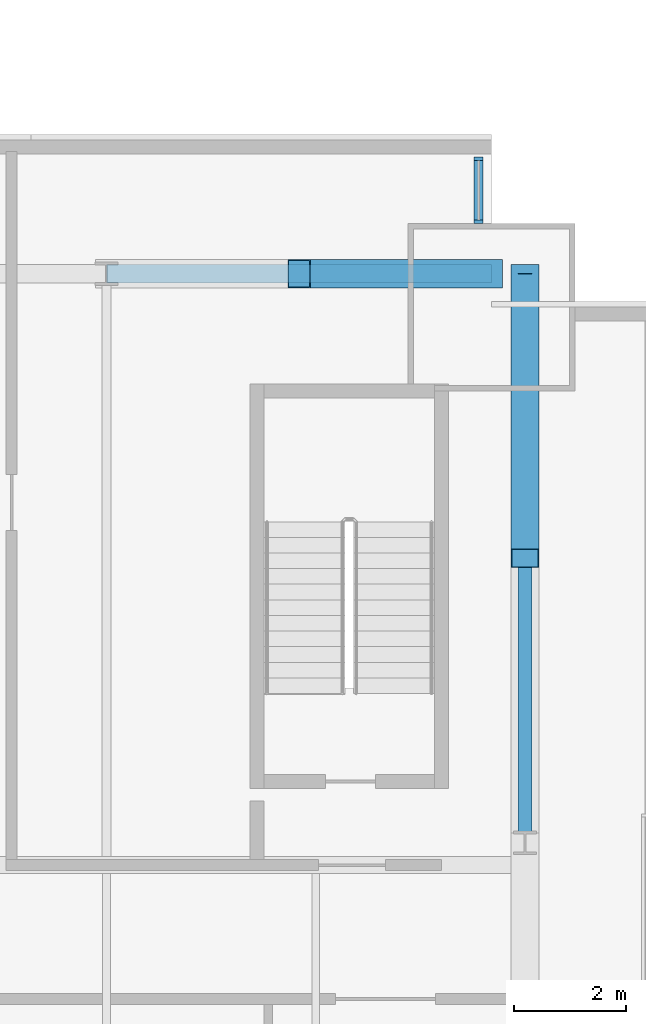
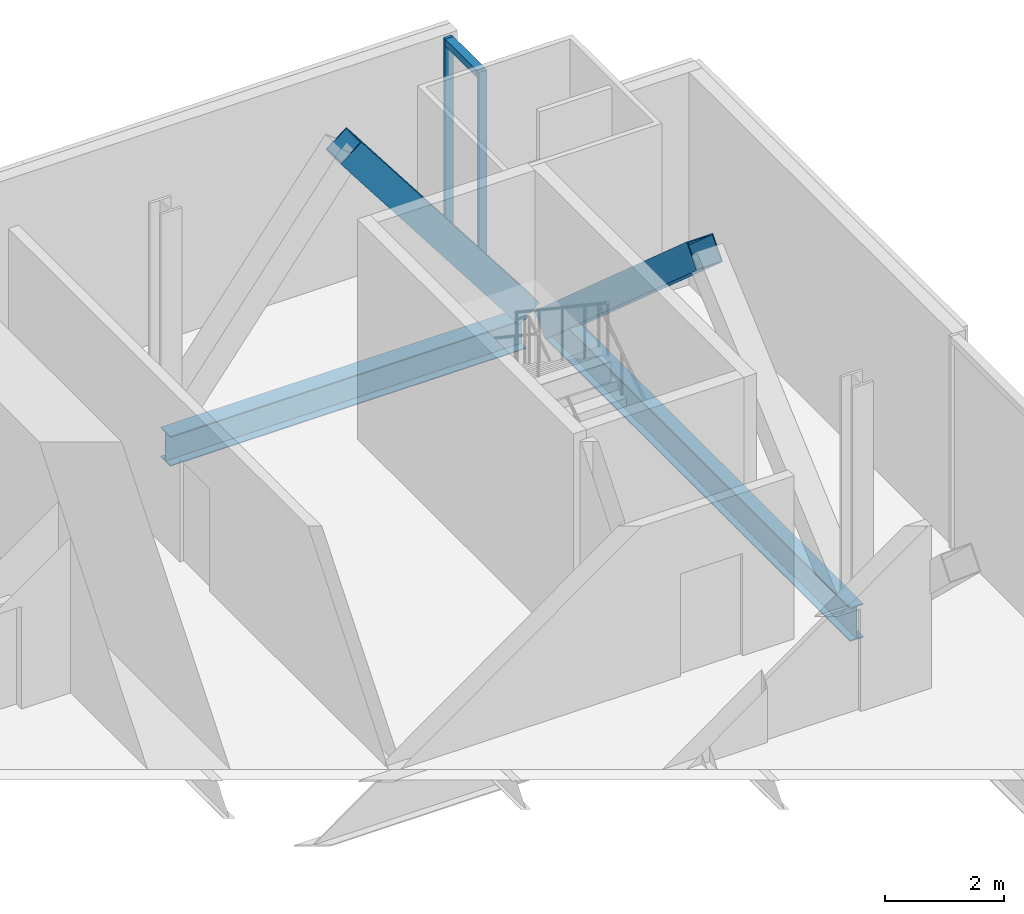
# One storey, part 13 of 21: 5 members, 2 beams, 1 element without a shape of its own.
"""IFC4 building model written with IfcOpenShell, lengths in metres."""

from ifc_helpers import new_model, si_unit, direction, frame, origin, origin_2d, place, context, subcontext, project, spatial, rectangle, hollow_rectangle, i_section, extrude, material, material_profile, profile_set, type_object, element, aggregate, save


model = new_model("IFC4")

# Units and contexts
model_context = context("Model", 3, precision=1e-05, world=origin(), true_north=direction((0.0, 1.0)))
body_context = subcontext(model_context, "Body", "Model", "MODEL_VIEW")
ifc_project = project(units=[si_unit("LENGTHUNIT", "METRE"), si_unit("AREAUNIT", "SQUARE_METRE"), si_unit("VOLUMEUNIT", "CUBIC_METRE"), si_unit("PLANEANGLEUNIT", "RADIAN"), si_unit("MASSUNIT", "GRAM", prefix="KILO")], contexts=[model_context])

# Site, building, storey
site_placement = place(None, origin())
site = spatial("IfcSite", under=ifc_project, at=site_placement, CompositionType="ELEMENT")
building_placement = place(site_placement, origin())
building = spatial("IfcBuilding", under=site, at=building_placement, Name="Bicima Exchange Tower", CompositionType="ELEMENT")
storey_placement = place(building_placement, frame((0.0, 0.0, 75.5)))
storey = spatial("IfcBuildingStorey", under=building, at=storey_placement, Name="L15", CompositionType="ELEMENT", Elevation=75.5)

# Beam
ifc_material_1 = material(Name="Steel ASTM A992 Gr 50", Category="steel")
ifc_material_profile_1 = material_profile(ifc_material_1, i_section(OverallWidth=0.256591796875, OverallDepth=0.693359375, WebThickness=0.014404296875, FlangeThickness=0.023681640625, at=origin_2d()))
ifc_profile_set_1 = profile_set([ifc_material_profile_1], Name="Steel ASTM A992 Gr 50")
beam_type_1 = type_object("IfcBeamType", Name="End girder W27x114", PredefinedType="BEAM", material=ifc_profile_set_1)
beam_1_placement = place(storey_placement, frame((33.60009765625, -2.39990234375, -0.49658203125), z_axis=(0.0, -1.0, 0.0), x_axis=(1.0, 0.0, 0.0)))
element("IfcBeam", 1, at=beam_1_placement, inside=storey, type_object=beam_type_1, Name="End girder", PredefinedType="BEAM", context=body_context, shape_type="SweptSolid", body=[
    extrude(i_section(OverallWidth=0.256591796875, OverallDepth=0.693359375, WebThickness=0.014404296875, FlangeThickness=0.023681640625, at=origin_2d()), origin(), (0.0, 0.0, 1.0), 10.2001953125),
])

# Curtain wall, members
ifc_material_2 = material(Name="Anodised bronze aluminium", Category="aluminium")
curtain_wall_type = type_object("IfcCurtainWallType", Name="Front glass wall", PredefinedType="NOTDEFINED", material=ifc_material_2)
curtain_wall_placement = place(storey_placement, origin())
curtain_wall = element("IfcCurtainWall", 2, at=curtain_wall_placement, inside=storey, type_object=curtain_wall_type, Name="Front glass wall L15 run 20", PredefinedType="NOTDEFINED")
ifc_material_profile_2 = material_profile(ifc_material_2, rectangle(XDim=0.159912109375, YDim=0.06005859375, at=origin_2d()))
ifc_profile_set_2 = profile_set([ifc_material_profile_2], Name="Anodised bronze aluminium")
member_type_1 = type_object("IfcMemberType", Name="Front glass wall mullion 60 x 160", PredefinedType="MULLION", material=ifc_profile_set_2)
member_1_placement = place(storey_placement, frame((32.77001953125, -1.469970703125, 0.0), z_axis=(0.0, 0.0, 1.0), x_axis=(-1.0, 0.0, 0.0)))
member_1 = element("IfcMember", 3, at=member_1_placement, type_object=member_type_1, Name="Front glass wall mullion 1", PredefinedType="MULLION", context=body_context, shape_type="SweptSolid", body=[
    extrude(rectangle(XDim=0.159912109375, YDim=0.06005859375, at=origin_2d()), origin(), (0.0, 0.0, 1.0), 4.35009765625),
])
member_2_placement = place(storey_placement, frame((32.77001953125, -0.340087890625, 0.0), z_axis=(0.0, 0.0, 1.0), x_axis=(-1.0, 0.0, 0.0)))
member_2 = element("IfcMember", 4, at=member_2_placement, type_object=member_type_1, Name="Front glass wall mullion 2", PredefinedType="MULLION", context=body_context, shape_type="SweptSolid", body=[
    extrude(rectangle(XDim=0.159912109375, YDim=0.06005859375, at=origin_2d()), origin(), (0.0, 0.0, 1.0), 4.35009765625),
])
ifc_material_profile_3 = material_profile(ifc_material_2, rectangle(XDim=0.159912109375, YDim=0.139892578125, at=origin_2d()))
ifc_profile_set_3 = profile_set([ifc_material_profile_3], Name="Anodised bronze aluminium")
member_type_2 = type_object("IfcMemberType", Name="Front glass wall transom 140 x 160", PredefinedType="USERDEFINED", material=ifc_profile_set_3)
member_3_placement = place(storey_placement, frame((32.77001953125, -1.43994140625, 4.280029296875), z_axis=(0.0, 1.0, 0.0), x_axis=(-1.0, 0.0, 0.0)))
member_3 = element("IfcMember", 5, at=member_3_placement, type_object=member_type_2, Name="Front glass wall transom 1.1", ObjectType="TRANSOM", PredefinedType="USERDEFINED", context=body_context, shape_type="SweptSolid", body=[
    extrude(rectangle(XDim=0.159912109375, YDim=0.139892578125, at=origin_2d()), origin(), (0.0, 0.0, 1.0), 1.06982421875),
])
aggregate(curtain_wall, [member_1, member_2, member_3])

# Members
ifc_material_3 = material(Name="Steel ASTM A572 Gr 50", Category="steel")
ifc_material_profile_4 = material_profile(ifc_material_3, hollow_rectangle(XDim=0.508056640625, YDim=0.508056640625, WallThickness=0.017822265625, at=origin_2d()))
ifc_profile_set_4 = profile_set([ifc_material_profile_4], Name="Steel ASTM A572 Gr 50")
member_type_3 = type_object("IfcMemberType", Name="Mega brace HSS20x20x3/4", PredefinedType="BRACE", material=ifc_profile_set_4)
member_4_placement = place(storey_placement, frame((33.0, -2.39990234375, 0.0), z_axis=(-0.608426120198, 0.0, 0.793610519248), x_axis=(0.0, -1.0, 0.0)))
element("IfcMember", 6, at=member_4_placement, inside=storey, type_object=member_type_3, Name="Mega brace rear", PredefinedType="BRACE", context=body_context, shape_type="SweptSolid", body=[
    extrude(hollow_rectangle(XDim=0.508056640625, YDim=0.508056640625, WallThickness=0.017822265625, at=origin_2d()), origin(), (0.0, 0.0, 1.0), 5.670166015625),
])
member_5_placement = place(storey_placement, frame((33.60009765625, -2.39990234375, -0.49658203125), z_axis=(0.0, -0.749844140428, 0.661614513948), x_axis=(1.0, 0.0, 0.0)))
element("IfcMember", 7, at=member_5_placement, inside=storey, type_object=member_type_3, Name="Mega brace east end", PredefinedType="BRACE", context=body_context, shape_type="SweptSolid", body=[
    extrude(hollow_rectangle(XDim=0.508056640625, YDim=0.508056640625, WallThickness=0.017822265625, at=origin_2d()), origin(), (0.0, 0.0, 1.0), 6.801513671875),
])

# Beam
ifc_material_profile_5 = material_profile(ifc_material_1, i_section(OverallWidth=0.3251953125, OverallDepth=0.612060546875, WebThickness=0.0126953125, FlangeThickness=0.01904296875, at=origin_2d()))
ifc_profile_set_5 = profile_set([ifc_material_profile_5], Name="Steel ASTM A992 Gr 50")
beam_type_2 = type_object("IfcBeamType", Name="Rear girder W24x104", PredefinedType="BEAM", material=ifc_profile_set_5)
beam_2_placement = place(storey_placement, frame((26.10009765625, -2.39990234375, -0.4560546875), z_axis=(1.0, 0.0, 0.0), x_axis=(0.0, 1.0, 0.0)))
element("IfcBeam", 8, at=beam_2_placement, inside=storey, type_object=beam_type_2, Name="Rear girder", PredefinedType="BEAM", context=body_context, shape_type="SweptSolid", body=[
    extrude(i_section(OverallWidth=0.3251953125, OverallDepth=0.612060546875, WebThickness=0.0126953125, FlangeThickness=0.01904296875, at=origin_2d()), origin(), (0.0, 0.0, 1.0), 6.89990234375),
])

save(model, "model.ifc")
